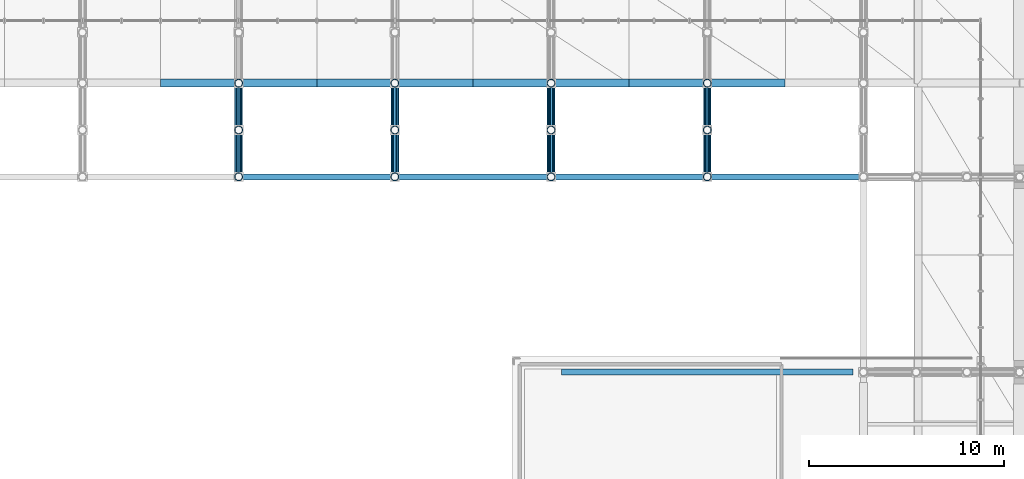
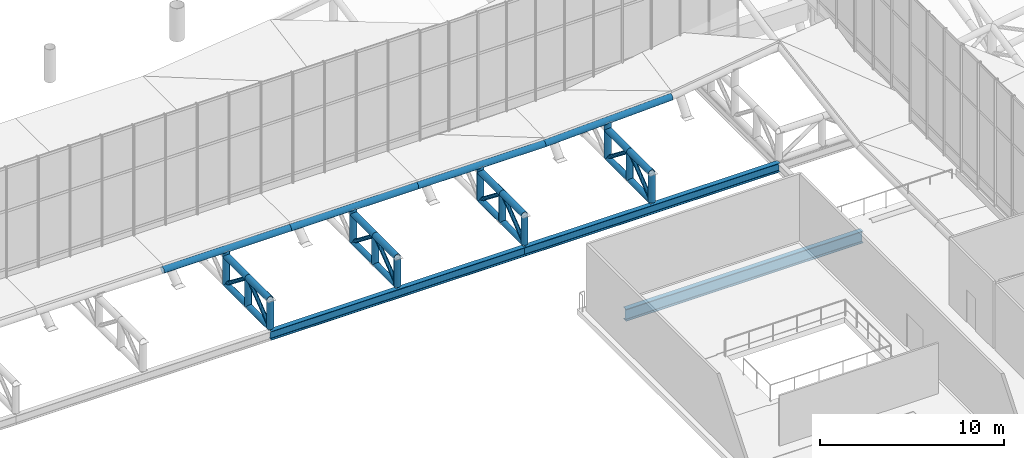
# One storey, part 45 of 137: 40 members, 3 beams.
"""IFC4 building model written with IfcOpenShell, lengths in metres."""

from ifc_helpers import new_model, si_unit, direction, frame, origin, origin_2d, place, context, subcontext, project, spatial, hollow_circle, i_section, extrude, material, material_profile, profile_set, type_object, element, save


model = new_model("IFC4")

# Units and contexts
model_context = context("Model", 3, precision=1e-05, world=origin(), true_north=direction((0.0, 1.0)))
body_context = subcontext(model_context, "Body", "Model", "MODEL_VIEW")
ifc_project = project(units=[si_unit("LENGTHUNIT", "METRE"), si_unit("AREAUNIT", "SQUARE_METRE"), si_unit("VOLUMEUNIT", "CUBIC_METRE"), si_unit("PLANEANGLEUNIT", "RADIAN"), si_unit("MASSUNIT", "GRAM", prefix="KILO")], contexts=[model_context])

# Site, building, storey
site_placement = place(None, origin())
site = spatial("IfcSite", under=ifc_project, at=site_placement, CompositionType="ELEMENT")
building_placement = place(site_placement, origin())
building = spatial("IfcBuilding", under=site, at=building_placement, Name="Khorjan Park Terminus", CompositionType="ELEMENT")
storey_placement = place(building_placement, frame((0.0, 0.0, 11.4)))
storey = spatial("IfcBuildingStorey", under=building, at=storey_placement, Name="L02", CompositionType="ELEMENT", Elevation=11.4)

# Beams
ifc_material = material(Name="Steel S355", Category="steel")
ifc_material_profile_1 = material_profile(ifc_material, i_section(OverallWidth=0.3, OverallDepth=0.59, WebThickness=0.013, FlangeThickness=0.025, FilletRadius=0.027, at=origin_2d()), Name="HEA 600")
ifc_profile_set_1 = profile_set([ifc_material_profile_1], Name="Steel S355")
beam_type_1 = type_object("IfcBeamType", Name="BM-HEA600", PredefinedType="BEAM", material=ifc_profile_set_1)
for number, where, z_axis, x_axis, name in (
    (1, (96.0, 78.0, -2.395), (1.0, 0.0, 0.0), (0.0, 1.0, 0.0), "Lower shell truss support girder SB-A60 (X29)"),
    (2, (112.0, 78.0, -2.395), (1.0, 0.0, 0.0), (0.0, 1.0, 0.0), "Lower shell truss support girder SB-A60 (X30)"),
):
    element("IfcBeam", number, at=place(storey_placement, frame(where, z_axis=z_axis, x_axis=x_axis)), inside=storey, type_object=beam_type_1, Name=name, PredefinedType="BEAM", context=body_context, shape_type="SweptSolid", body=[
        extrude(i_section(OverallWidth=0.3, OverallDepth=0.59, WebThickness=0.013, FlangeThickness=0.025, FilletRadius=0.027, at=origin_2d()), origin(), (0.0, 0.0, 1.0), 16.0),
    ])
ifc_material_profile_2 = material_profile(ifc_material, i_section(OverallWidth=0.3, OverallDepth=0.8, WebThickness=0.0175, FlangeThickness=0.033, FilletRadius=0.03, at=origin_2d()), Name="HEB 800")
ifc_profile_set_2 = profile_set([ifc_material_profile_2], Name="Steel S355")
beam_type_2 = type_object("IfcBeamType", Name="BM-HEB800", PredefinedType="BEAM", material=ifc_profile_set_2)
beam_placement = place(storey_placement, frame((112.545, 68.0, -0.76), z_axis=(1.0, 0.0, 0.0), x_axis=(0.0, 1.0, 0.0)))
element("IfcBeam", 3, at=beam_placement, inside=storey, type_object=beam_type_2, Name="Primary floor girder SB-B80 (L02)", PredefinedType="BEAM", context=body_context, shape_type="SweptSolid", body=[
    extrude(i_section(OverallWidth=0.3, OverallDepth=0.8, WebThickness=0.0175, FlangeThickness=0.033, FilletRadius=0.03, at=origin_2d()), origin(), (0.0, 0.0, 1.0), 14.91),
])

# Members
ifc_material_profile_3 = material_profile(ifc_material, hollow_circle(Radius=0.1222, WallThickness=0.0125, at=origin_2d()), Name="CHS 244.5x12.5")
ifc_profile_set_3 = profile_set([ifc_material_profile_3], Name="Steel S355")
member_type_1 = type_object("IfcMemberType", Name="MB-BR-245", PredefinedType="BRACE", material=ifc_profile_set_3)
for number, where, z_axis, x_axis, name in (
    (4, (96.0, 78.0, -1.92), (0.0, 0.788820985003, 0.614623017482), (-1.0, 0.0, 0.0), "Lower shell cantilever truss diagonal (7N)"),
    (5, (96.0, 80.4, -0.05), (0.0, 0.788820985003, -0.614623017482), (-1.0, 0.0, 0.0), "Lower shell cantilever truss diagonal (7N)"),
    (6, (104.0, 78.0, -1.92), (0.0, 0.788820985003, 0.614623017482), (-1.0, 0.0, 0.0), "Lower shell cantilever truss diagonal (8N)"),
    (7, (104.0, 80.4, -0.05), (0.0, 0.788820985003, -0.614623017482), (-1.0, 0.0, 0.0), "Lower shell cantilever truss diagonal (8N)"),
    (8, (112.0, 78.0, -1.92), (0.0, 0.788820985003, 0.614623017482), (-1.0, 0.0, 0.0), "Lower shell cantilever truss diagonal (9N)"),
    (9, (112.0, 80.4, -0.05), (0.0, 0.788820985003, -0.614623017482), (-1.0, 0.0, 0.0), "Lower shell cantilever truss diagonal (9N)"),
    (10, (120.0, 78.0, -1.92), (0.0, 0.788820985003, 0.614623017482), (-1.0, 0.0, 0.0), "Lower shell cantilever truss diagonal (10N)"),
    (11, (120.0, 80.4, -0.05), (0.0, 0.788820985003, -0.614623017482), (-1.0, 0.0, 0.0), "Lower shell cantilever truss diagonal (10N)"),
):
    element("IfcMember", number, at=place(storey_placement, frame(where, z_axis=z_axis, x_axis=x_axis)), inside=storey, type_object=member_type_1, Name=name, PredefinedType="BRACE", context=body_context, shape_type="SweptSolid", body=[
        extrude(hollow_circle(Radius=0.1222, WallThickness=0.0125, at=origin_2d()), origin(), (0.0, 0.0, 1.0), 3.0425),
    ])
ifc_material_profile_4 = material_profile(ifc_material, hollow_circle(Radius=0.1778, WallThickness=0.016, at=origin_2d()), Name="CHS 355.6x16")
ifc_profile_set_4 = profile_set([ifc_material_profile_4], Name="Steel S355")
member_type_2 = type_object("IfcMemberType", Name="MB-CH-356", PredefinedType="CHORD", material=ifc_profile_set_4)
for number, where, z_axis, x_axis, name in (
    (12, (96.0, 78.0, -1.92), (0.0, 1.0, 0.0), (-1.0, 0.0, 0.0), "Lower shell cantilever truss bottom chord (7N)"),
    (13, (96.0, 80.4, -1.92), (0.0, 1.0, 0.0), (-1.0, 0.0, 0.0), "Lower shell cantilever truss bottom chord (7N)"),
    (14, (104.0, 78.0, -1.92), (0.0, 1.0, 0.0), (-1.0, 0.0, 0.0), "Lower shell cantilever truss bottom chord (8N)"),
    (15, (104.0, 80.4, -1.92), (0.0, 1.0, 0.0), (-1.0, 0.0, 0.0), "Lower shell cantilever truss bottom chord (8N)"),
    (16, (112.0, 78.0, -1.92), (0.0, 1.0, 0.0), (-1.0, 0.0, 0.0), "Lower shell cantilever truss bottom chord (9N)"),
    (17, (112.0, 80.4, -1.92), (0.0, 1.0, 0.0), (-1.0, 0.0, 0.0), "Lower shell cantilever truss bottom chord (9N)"),
    (18, (120.0, 78.0, -1.92), (0.0, 1.0, 0.0), (-1.0, 0.0, 0.0), "Lower shell cantilever truss bottom chord (10N)"),
    (19, (120.0, 80.4, -1.92), (0.0, 1.0, 0.0), (-1.0, 0.0, 0.0), "Lower shell cantilever truss bottom chord (10N)"),
):
    element("IfcMember", number, at=place(storey_placement, frame(where, z_axis=z_axis, x_axis=x_axis)), inside=storey, type_object=member_type_2, Name=name, PredefinedType="CHORD", context=body_context, shape_type="SweptSolid", body=[
        extrude(hollow_circle(Radius=0.1778, WallThickness=0.016, at=origin_2d()), origin(), (0.0, 0.0, 1.0), 2.4),
    ])
ifc_material_profile_5 = material_profile(ifc_material, hollow_circle(Radius=0.2032, WallThickness=0.016, at=origin_2d()), Name="CHS 406.4x16")
ifc_profile_set_5 = profile_set([ifc_material_profile_5], Name="Steel S355")
member_type_3 = type_object("IfcMemberType", Name="MB-CH-406", PredefinedType="CHORD", material=ifc_profile_set_5)
for number, where, z_axis, x_axis, name in (
    (20, (92.0, 82.8, 0.392), (1.0, 0.0, 0.0), (0.0, 1.0, 0.0), "Lower wrapping shell rim chord (97)"),
    (21, (100.0, 82.8, 0.392), (1.0, 0.0, 0.0), (0.0, 1.0, 0.0), "Lower wrapping shell rim chord (98)"),
    (22, (108.0, 82.8, 0.392), (1.0, 0.0, 0.0), (0.0, 1.0, 0.0), "Lower wrapping shell rim chord (99)"),
):
    element("IfcMember", number, at=place(storey_placement, frame(where, z_axis=z_axis, x_axis=x_axis)), inside=storey, type_object=member_type_3, Name=name, PredefinedType="CHORD", context=body_context, shape_type="SweptSolid", body=[
        extrude(hollow_circle(Radius=0.2032, WallThickness=0.016, at=origin_2d()), origin(), (0.0, 0.0, 1.0), 8.0),
    ])
member_1_placement = place(storey_placement, frame((116.0, 82.8, 0.392), z_axis=(0.999215852983, 0.0, 0.039593928174), x_axis=(0.0, 1.0, 0.0)))
element("IfcMember", 23, at=member_1_placement, inside=storey, type_object=member_type_3, Name="Lower wrapping shell rim chord (100)", PredefinedType="CHORD", context=body_context, shape_type="SweptSolid", body=[
    extrude(hollow_circle(Radius=0.2032, WallThickness=0.016, at=origin_2d()), origin(), (0.0, 0.0, 1.0), 8.0063),
])
for number, where, z_axis, x_axis, name in (
    (24, (96.0, 78.0, -0.05), (0.0, 1.0, 0.0), (-1.0, 0.0, 0.0), "Lower shell cantilever truss top chord (7N)"),
    (25, (96.0, 80.4, -0.05), (0.0, 1.0, 0.0), (-1.0, 0.0, 0.0), "Lower shell cantilever truss top chord (7N)"),
    (26, (104.0, 78.0, -0.05), (0.0, 1.0, 0.0), (-1.0, 0.0, 0.0), "Lower shell cantilever truss top chord (8N)"),
    (27, (104.0, 80.4, -0.05), (0.0, 1.0, 0.0), (-1.0, 0.0, 0.0), "Lower shell cantilever truss top chord (8N)"),
    (28, (112.0, 78.0, -0.05), (0.0, 1.0, 0.0), (-1.0, 0.0, 0.0), "Lower shell cantilever truss top chord (9N)"),
    (29, (112.0, 80.4, -0.05), (0.0, 1.0, 0.0), (-1.0, 0.0, 0.0), "Lower shell cantilever truss top chord (9N)"),
    (30, (120.0, 78.0, -0.05), (0.0, 1.0, 0.0), (-1.0, 0.0, 0.0), "Lower shell cantilever truss top chord (10N)"),
    (31, (120.0, 80.4, -0.05), (0.0, 1.0, 0.0), (-1.0, 0.0, 0.0), "Lower shell cantilever truss top chord (10N)"),
):
    element("IfcMember", number, at=place(storey_placement, frame(where, z_axis=z_axis, x_axis=x_axis)), inside=storey, type_object=member_type_3, Name=name, PredefinedType="CHORD", context=body_context, shape_type="SweptSolid", body=[
        extrude(hollow_circle(Radius=0.2032, WallThickness=0.016, at=origin_2d()), origin(), (0.0, 0.0, 1.0), 2.4),
    ])
ifc_material_profile_6 = material_profile(ifc_material, hollow_circle(Radius=0.2032, WallThickness=0.016, at=origin_2d()), Name="CHS 406.4x16")
ifc_profile_set_6 = profile_set([ifc_material_profile_6], Name="Steel S355")
member_type_4 = type_object("IfcMemberType", Name="MB-ST-406", PredefinedType="STRUT", material=ifc_profile_set_6)
for number, where, z_axis, x_axis, name in (
    (32, (96.0, 78.0, -1.92), (0.0, 0.0, 1.0), (1.0, 0.0, 0.0), "Lower shell cantilever truss post (7N)"),
    (33, (96.0, 80.4, -1.92), (0.0, 0.0, 1.0), (1.0, 0.0, 0.0), "Lower shell cantilever truss post (7N)"),
):
    element("IfcMember", number, at=place(storey_placement, frame(where, z_axis=z_axis, x_axis=x_axis)), inside=storey, type_object=member_type_4, Name=name, PredefinedType="STRUT", context=body_context, shape_type="SweptSolid", body=[
        extrude(hollow_circle(Radius=0.2032, WallThickness=0.016, at=origin_2d()), origin(), (0.0, 0.0, 1.0), 1.87),
    ])
member_2_placement = place(storey_placement, frame((96.0, 82.8, -1.92), z_axis=(0.0, 0.0, 1.0), x_axis=(1.0, 0.0, 0.0)))
element("IfcMember", 34, at=member_2_placement, inside=storey, type_object=member_type_4, Name="Lower shell cantilever truss post (7N)", PredefinedType="STRUT", context=body_context, shape_type="SweptSolid", body=[
    extrude(hollow_circle(Radius=0.2032, WallThickness=0.016, at=origin_2d()), origin(), (0.0, 0.0, 1.0), 2.312),
])
for number, where, z_axis, x_axis, name in (
    (35, (104.0, 78.0, -1.92), (0.0, 0.0, 1.0), (1.0, 0.0, 0.0), "Lower shell cantilever truss post (8N)"),
    (36, (104.0, 80.4, -1.92), (0.0, 0.0, 1.0), (1.0, 0.0, 0.0), "Lower shell cantilever truss post (8N)"),
):
    element("IfcMember", number, at=place(storey_placement, frame(where, z_axis=z_axis, x_axis=x_axis)), inside=storey, type_object=member_type_4, Name=name, PredefinedType="STRUT", context=body_context, shape_type="SweptSolid", body=[
        extrude(hollow_circle(Radius=0.2032, WallThickness=0.016, at=origin_2d()), origin(), (0.0, 0.0, 1.0), 1.87),
    ])
member_3_placement = place(storey_placement, frame((104.0, 82.8, -1.92), z_axis=(0.0, 0.0, 1.0), x_axis=(1.0, 0.0, 0.0)))
element("IfcMember", 37, at=member_3_placement, inside=storey, type_object=member_type_4, Name="Lower shell cantilever truss post (8N)", PredefinedType="STRUT", context=body_context, shape_type="SweptSolid", body=[
    extrude(hollow_circle(Radius=0.2032, WallThickness=0.016, at=origin_2d()), origin(), (0.0, 0.0, 1.0), 2.312),
])
for number, where, z_axis, x_axis, name in (
    (38, (112.0, 78.0, -1.92), (0.0, 0.0, 1.0), (1.0, 0.0, 0.0), "Lower shell cantilever truss post (9N)"),
    (39, (112.0, 80.4, -1.92), (0.0, 0.0, 1.0), (1.0, 0.0, 0.0), "Lower shell cantilever truss post (9N)"),
):
    element("IfcMember", number, at=place(storey_placement, frame(where, z_axis=z_axis, x_axis=x_axis)), inside=storey, type_object=member_type_4, Name=name, PredefinedType="STRUT", context=body_context, shape_type="SweptSolid", body=[
        extrude(hollow_circle(Radius=0.2032, WallThickness=0.016, at=origin_2d()), origin(), (0.0, 0.0, 1.0), 1.87),
    ])
member_4_placement = place(storey_placement, frame((112.0, 82.8, -1.92), z_axis=(0.0, 0.0, 1.0), x_axis=(1.0, 0.0, 0.0)))
element("IfcMember", 40, at=member_4_placement, inside=storey, type_object=member_type_4, Name="Lower shell cantilever truss post (9N)", PredefinedType="STRUT", context=body_context, shape_type="SweptSolid", body=[
    extrude(hollow_circle(Radius=0.2032, WallThickness=0.016, at=origin_2d()), origin(), (0.0, 0.0, 1.0), 2.312),
])
for number, where, z_axis, x_axis, name in (
    (41, (120.0, 78.0, -1.92), (0.0, 0.0, 1.0), (1.0, 0.0, 0.0), "Lower shell cantilever truss post (10N)"),
    (42, (120.0, 80.4, -1.92), (0.0, 0.0, 1.0), (1.0, 0.0, 0.0), "Lower shell cantilever truss post (10N)"),
):
    element("IfcMember", number, at=place(storey_placement, frame(where, z_axis=z_axis, x_axis=x_axis)), inside=storey, type_object=member_type_4, Name=name, PredefinedType="STRUT", context=body_context, shape_type="SweptSolid", body=[
        extrude(hollow_circle(Radius=0.2032, WallThickness=0.016, at=origin_2d()), origin(), (0.0, 0.0, 1.0), 1.87),
    ])
member_5_placement = place(storey_placement, frame((120.0, 82.8, -1.92), z_axis=(0.0, 0.0, 1.0), x_axis=(1.0, 0.0, 0.0)))
element("IfcMember", 43, at=member_5_placement, inside=storey, type_object=member_type_4, Name="Lower shell cantilever truss post (10N)", PredefinedType="STRUT", context=body_context, shape_type="SweptSolid", body=[
    extrude(hollow_circle(Radius=0.2032, WallThickness=0.016, at=origin_2d()), origin(), (0.0, 0.0, 1.0), 2.4705),
])

save(model, "model.ifc")
